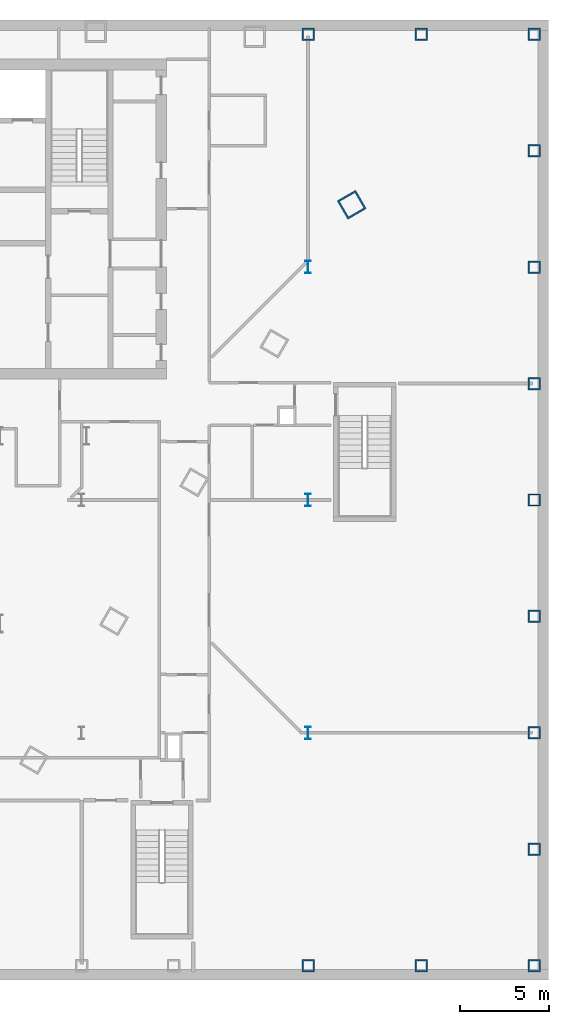
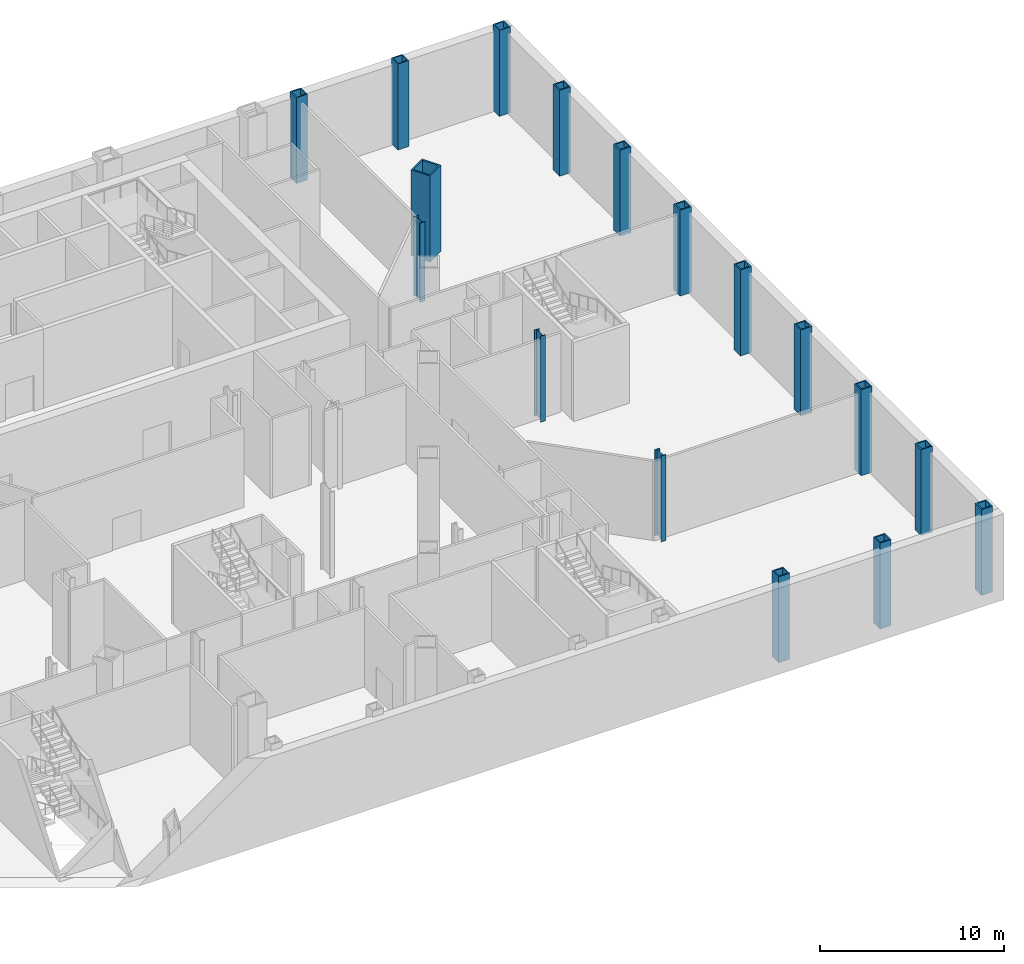
# One storey, part 3 of 18: 17 columns.
"""IFC4 building model written with IfcOpenShell, lengths in metres."""

import ifcopenshell
import ifcopenshell.guid

model = None  # the IFC model being written
_history = None  # IfcOwnerHistory: only IFC2X3 demands one
_inside = {}  # id of a spatial element -> (the spatial element, [elements in it])
_under = {}  # id of a project, library or spatial element -> (it, [spatial elements below it])
_declared = {}  # id of a project -> (the project, [libraries it declares])
_typed = {}  # id of a type object -> (the type object, [elements of that type])
_made_of = {}  # id of a material, layer set ... -> (it, [elements and type objects made of it])


def new_model(schema):
    """Start an empty IFC model of exactly this schema.

    Asked for "IFC4X3", IfcOpenShell would pick the latest addendum, in which some entities
    have other attributes; the version numbers below select the first issue.
    IFC2X3 requires an IfcOwnerHistory on every rooted entity: one is made here for all.
    """
    global model, _history
    if schema == "IFC4X3":
        model = ifcopenshell.file(schema_version=(4, 3, 0, 0))
    else:
        model = ifcopenshell.file(schema=schema)
    _inside.clear()
    _under.clear()
    _declared.clear()
    _typed.clear()
    _made_of.clear()
    _history = None
    if model.schema == "IFC2X3":
        org = make("IfcOrganization", Name="unknown")
        user = make(
            "IfcPersonAndOrganization",
            ThePerson=make("IfcPerson", FamilyName="unknown"),
            TheOrganization=org,
        )
        app = make(
            "IfcApplication",
            ApplicationDeveloper=org,
            Version="unknown",
            ApplicationFullName="unknown",
            ApplicationIdentifier="unknown",
        )
        _history = make(
            "IfcOwnerHistory",
            OwningUser=user,
            OwningApplication=app,
            ChangeAction="ADDED",
            CreationDate=0,
        )
    return model


def make(cls, **values):
    """One entity of the class cls with the attributes given. An attribute that is None is left unset."""
    return model.create_entity(
        cls, **{name: value for name, value in values.items() if value is not None}
    )


def rooted(cls, **values):
    """An entity with a GlobalId (a new one), such as an element, a storey or a relation."""
    return make(cls, GlobalId=ifcopenshell.guid.new(), OwnerHistory=_history, **values)


def si_unit(unit_type, name, prefix=None):
    """IfcSIUnit, for example si_unit("LENGTHUNIT", "METRE", prefix="MILLI")."""
    return make("IfcSIUnit", UnitType=unit_type, Prefix=prefix, Name=name)


def assignment(units):
    """IfcUnitAssignment: the units of a project."""
    return None if units is None else make("IfcUnitAssignment", Units=units)


def point(xyz):
    """IfcCartesianPoint."""
    return None if xyz is None else make("IfcCartesianPoint", Coordinates=xyz)


def direction(xyz):
    """IfcDirection."""
    return None if xyz is None else make("IfcDirection", DirectionRatios=xyz)


def frame(location, z_axis=None, x_axis=None):
    """IfcAxis2Placement3D, a coordinate frame: its origin and axes. An axis left out is left unset."""
    return make(
        "IfcAxis2Placement3D",
        Location=point(location),
        Axis=direction(z_axis),
        RefDirection=direction(x_axis),
    )


def frame_2d(location, x_axis=None):
    """IfcAxis2Placement2D, a coordinate frame in the plane: its origin and x axis."""
    return make(
        "IfcAxis2Placement2D", Location=point(location), RefDirection=direction(x_axis)
    )


def origin():
    """The frame at (0, 0, 0) with its axes left unset."""
    return frame((0.0, 0.0, 0.0))


def origin_2d():
    """The frame at (0, 0) in the plane with its x axis left unset."""
    return frame_2d((0.0, 0.0))


def place(relative_to, where):
    """IfcLocalPlacement: puts the frame where relative to a parent placement (None: the world)."""
    return make(
        "IfcLocalPlacement", PlacementRelTo=relative_to, RelativePlacement=where
    )


def context(
    kind, dimensions, precision=None, world=None, true_north=None, identifier=None
):
    """IfcGeometricRepresentationContext, for example the 3D "Model" context."""
    return make(
        "IfcGeometricRepresentationContext",
        ContextIdentifier=identifier,
        ContextType=kind,
        CoordinateSpaceDimension=dimensions,
        Precision=precision,
        WorldCoordinateSystem=world,
        TrueNorth=true_north,
    )


def subcontext(parent, identifier, kind, view, scale=None):
    """IfcGeometricRepresentationSubContext, for example "Body" below "Model"."""
    return make(
        "IfcGeometricRepresentationSubContext",
        ContextIdentifier=identifier,
        ContextType=kind,
        ParentContext=parent,
        TargetScale=scale,
        TargetView=view,
    )


def project(units=None, contexts=None):
    """IfcProject with its units and contexts."""
    return rooted(
        "IfcProject",
        Name="project",
        RepresentationContexts=contexts,
        UnitsInContext=assignment(units),
    )


def spatial(cls, under=None, at=None, **own):
    """A site, building, storey or space (cls), placed at a placement, below another one or the project."""
    s = rooted(cls, ObjectPlacement=at, **own)
    if under is not None:
        _under.setdefault(under.id(), (under, []))[1].append(s)
    return s


def profile(cls, at=None, kind="AREA", **sizes):
    """A parametric profile (cls). Its sizes go by their IFC names, for example OverallWidth=200.0."""
    return make(cls, ProfileType=kind, Position=at, **sizes)


def hollow_rectangle(**sizes):
    """IfcRectangleHollowProfileDef."""
    return profile("IfcRectangleHollowProfileDef", **sizes)


def i_section(**sizes):
    """IfcIShapeProfileDef."""
    return profile("IfcIShapeProfileDef", **sizes)


def extrude(swept, where, along, depth):
    """IfcExtrudedAreaSolid: the profile swept, set in the frame where, extruded along a direction by depth."""
    return make(
        "IfcExtrudedAreaSolid",
        SweptArea=swept,
        Position=where,
        ExtrudedDirection=direction(along),
        Depth=depth,
    )


def shape(context_of_items, identifier, shape_type, items):
    """IfcShapeRepresentation: the items that make up one representation, for example the "Body"."""
    return make(
        "IfcShapeRepresentation",
        ContextOfItems=context_of_items,
        RepresentationIdentifier=identifier,
        RepresentationType=shape_type,
        Items=items,
    )


def material(Name=None, Category=None):
    """IfcMaterial."""
    return make("IfcMaterial", Name=Name, Category=Category)


def material_profile(
    of_material, cross_section, Name=None, Category=None, Priority=None
):
    """IfcMaterialProfile: a cross section and its material."""
    return make(
        "IfcMaterialProfile",
        Name=Name,
        Material=of_material,
        Profile=cross_section,
        Priority=Priority,
        Category=Category,
    )


def profile_set(profiles, Name=None, composite=None):
    """IfcMaterialProfileSet."""
    return make(
        "IfcMaterialProfileSet",
        Name=Name,
        MaterialProfiles=profiles,
        CompositeProfile=composite,
    )


def made_of(thing, what):
    """Note that an element or type object is made of a material, layer set ...; save() writes the relation."""
    if what is not None:
        _made_of.setdefault(what.id(), (what, []))[1].append(thing)
    return thing


def type_object(cls, material=None, **own):
    """A type object (cls), such as IfcWallType, which elements share."""
    return made_of(rooted(cls, **own), material)


def element(
    cls,
    number,
    at=None,
    inside=None,
    cuts=None,
    type_object=None,
    material=None,
    context=None,
    identifier="Body",
    shape_type=None,
    held_by="IfcProductDefinitionShape",
    body=None,
    shapes=None,
    **own,
):
    """One element of the class cls, such as IfcWall. Its Tag is "e" and its number.

    at: its placement. inside: the storey or other place that contains it. cuts: it is an
    opening in that element (IfcRelVoidsElement). A single representation is given by context,
    identifier, shape_type and body (its items); several are given by shapes. held_by: the class
    of the entity that holds the representations. save() writes the other relations.
    """
    e = rooted(cls, Tag="e%d" % number, ObjectPlacement=at, **own)
    if body is not None:
        shapes = [shape(context, identifier, shape_type, body)]
    if shapes is not None:
        e.Representation = make(held_by, Representations=shapes)
    if inside is not None:
        _inside.setdefault(inside.id(), (inside, []))[1].append(e)
    if cuts is not None:
        rooted(
            "IfcRelVoidsElement", RelatingBuildingElement=cuts, RelatedOpeningElement=e
        )
    if type_object is not None:
        _typed.setdefault(type_object.id(), (type_object, []))[1].append(e)
    return made_of(e, material)


def aggregate(whole, parts):
    """IfcRelAggregates: a whole, such as a stair, and the parts it consists of."""
    return rooted("IfcRelAggregates", RelatingObject=whole, RelatedObjects=parts)


def save(model, path):
    """Write the relations noted so far, then the file.

    IfcRelAggregates (storeys below a building ...), IfcRelContainedInSpatialStructure (elements
    in a storey), IfcRelDefinesByType, IfcRelAssociatesMaterial and IfcRelDeclares: one each for
    every whole, place, type object, material and project.
    """
    for whole, parts in _under.values():
        aggregate(whole, parts)
    for where, things in _inside.values():
        rooted(
            "IfcRelContainedInSpatialStructure",
            RelatedElements=things,
            RelatingStructure=where,
        )
    for kind, things in _typed.values():
        rooted("IfcRelDefinesByType", RelatedObjects=things, RelatingType=kind)
    for what, things in _made_of.values():
        rooted("IfcRelAssociatesMaterial", RelatedObjects=things, RelatingMaterial=what)
    for by, libraries in _declared.values():
        rooted("IfcRelDeclares", RelatingContext=by, RelatedDefinitions=libraries)
    model.write(path)


model = new_model("IFC4")

# Units and contexts
model_context = context("Model", 3, precision=1e-05, world=origin(), true_north=direction((0.0, 1.0)))
body_context = subcontext(model_context, "Body", "Model", "MODEL_VIEW")
ifc_project = project(units=[si_unit("LENGTHUNIT", "METRE"), si_unit("AREAUNIT", "SQUARE_METRE"), si_unit("VOLUMEUNIT", "CUBIC_METRE"), si_unit("PLANEANGLEUNIT", "RADIAN"), si_unit("MASSUNIT", "GRAM", prefix="KILO")], contexts=[model_context])

# Site, building, storey
site_placement = place(None, origin())
site = spatial("IfcSite", under=ifc_project, at=site_placement, CompositionType="ELEMENT")
building_placement = place(site_placement, origin())
building = spatial("IfcBuilding", under=site, at=building_placement, Name="Njiva Tower", CompositionType="ELEMENT")
storey_placement = place(building_placement, frame((0.0, 0.0, -5.7)))
storey = spatial("IfcBuildingStorey", under=building, at=storey_placement, Name="B1", CompositionType="ELEMENT", Elevation=-5.7)

# Columns
ifc_material = material(Name="Steel S355 J2", Category="steel")
ifc_material_profile_1 = material_profile(ifc_material, hollow_rectangle(XDim=1.2, YDim=1.2, WallThickness=0.1, at=origin_2d()), Name="BOX 1200x1200x100")
ifc_profile_set_1 = profile_set([ifc_material_profile_1], Name="Steel S355 J2")
column_type_1 = type_object("IfcColumnType", Name="C1 Mega-column BOX 1200x1200x100", PredefinedType="COLUMN", material=ifc_profile_set_1)
column_1_placement = place(storey_placement, frame((27.923, 9.808, 0.0), z_axis=(0.0, 0.0, 1.0), x_axis=(-0.5, 0.866025403784, 0.0)))
element("IfcColumn", 1, at=column_1_placement, inside=storey, type_object=column_type_1, Name="Mega-column B1-C18", PredefinedType="COLUMN", context=body_context, shape_type="SweptSolid", body=[
    extrude(hollow_rectangle(XDim=1.2, YDim=1.2, WallThickness=0.1, at=origin_2d()), origin(), (0.0, 0.0, 1.0), 5.7),
])
ifc_material_profile_2 = material_profile(ifc_material, hollow_rectangle(XDim=0.7, YDim=0.7, WallThickness=0.08, at=origin_2d()), Name="BOX 700x700x80")
ifc_profile_set_2 = profile_set([ifc_material_profile_2], Name="Steel S355 J2")
column_type_2 = type_object("IfcColumnType", Name="C3 Podium perimeter column BOX 700x700x80", PredefinedType="COLUMN", material=ifc_profile_set_2)
for number, where, z_axis, x_axis, name in (
    (2, (38.2, -33.0, 0.0), (0.0, 0.0, 1.0), (0.0, 1.0, 0.0), "Podium perimeter column B1-C27"),
    (3, (38.2, -26.45, 0.0), (0.0, 0.0, 1.0), (0.0, 1.0, 0.0), "Podium perimeter column B1-C28"),
    (4, (38.2, -19.9, 0.0), (0.0, 0.0, 1.0), (0.0, 1.0, 0.0), "Podium perimeter column B1-C29"),
    (5, (38.2, -13.35, 0.0), (0.0, 0.0, 1.0), (0.0, 1.0, 0.0), "Podium perimeter column B1-C30"),
    (6, (38.2, -6.8, 0.0), (0.0, 0.0, 1.0), (0.0, 1.0, 0.0), "Podium perimeter column B1-C31"),
    (7, (38.2, -0.25, 0.0), (0.0, 0.0, 1.0), (0.0, 1.0, 0.0), "Podium perimeter column B1-C32"),
    (8, (38.2, 6.3, 0.0), (0.0, 0.0, 1.0), (0.0, 1.0, 0.0), "Podium perimeter column B1-C33"),
    (9, (38.2, 12.85, 0.0), (0.0, 0.0, 1.0), (0.0, 1.0, 0.0), "Podium perimeter column B1-C34"),
    (10, (38.2, 19.4, 0.0), (0.0, 0.0, 1.0), (-1.0, 0.0, 0.0), "Podium perimeter column B1-C35"),
    (11, (31.833, 19.4, 0.0), (0.0, 0.0, 1.0), (-1.0, 0.0, 0.0), "Podium perimeter column B1-C36"),
    (12, (25.467, 19.4, 0.0), (0.0, 0.0, 1.0), (-1.0, 0.0, 0.0), "Podium perimeter column B1-C37"),
    (13, (25.467, -33.0, 0.0), (0.0, 0.0, 1.0), (1.0, 0.0, 0.0), "Podium perimeter column B1-C60"),
    (14, (31.833, -33.0, 0.0), (0.0, 0.0, 1.0), (1.0, 0.0, 0.0), "Podium perimeter column B1-C61"),
):
    element("IfcColumn", number, at=place(storey_placement, frame(where, z_axis=z_axis, x_axis=x_axis)), inside=storey, type_object=column_type_2, Name=name, PredefinedType="COLUMN", context=body_context, shape_type="SweptSolid", body=[
        extrude(hollow_rectangle(XDim=0.7, YDim=0.7, WallThickness=0.08, at=origin_2d()), origin(), (0.0, 0.0, 1.0), 5.7),
    ])
ifc_material_profile_3 = material_profile(ifc_material, i_section(OverallWidth=0.304, OverallDepth=0.716, WebThickness=0.021, FlangeThickness=0.04, at=origin_2d()), Name="HEM 700")
ifc_profile_set_3 = profile_set([ifc_material_profile_3], Name="Steel S355 J2")
column_type_3 = type_object("IfcColumnType", Name="C4 Station column HEM 700", PredefinedType="COLUMN", material=ifc_profile_set_3)
column_2_placement = place(storey_placement, frame((25.467, 6.3, 0.0), z_axis=(0.0, 0.0, 1.0), x_axis=(1.0, 0.0, 0.0)))
element("IfcColumn", 15, at=column_2_placement, inside=storey, type_object=column_type_3, Name="Station column B1-C69", PredefinedType="COLUMN", context=body_context, shape_type="SweptSolid", body=[
    extrude(i_section(OverallWidth=0.304, OverallDepth=0.716, WebThickness=0.021, FlangeThickness=0.04, at=origin_2d()), origin(), (0.0, 0.0, 1.0), 5.25),
])
for number, where, z_axis, x_axis, name in (
    (16, (25.467, -6.8, 0.0), (0.0, 0.0, 1.0), (1.0, 0.0, 0.0), "Station column B1-C70"),
    (17, (25.467, -19.9, 0.0), (0.0, 0.0, 1.0), (1.0, 0.0, 0.0), "Station column B1-C71"),
):
    element("IfcColumn", number, at=place(storey_placement, frame(where, z_axis=z_axis, x_axis=x_axis)), inside=storey, type_object=column_type_3, Name=name, PredefinedType="COLUMN", context=body_context, shape_type="SweptSolid", body=[
        extrude(i_section(OverallWidth=0.304, OverallDepth=0.716, WebThickness=0.021, FlangeThickness=0.04, at=origin_2d()), origin(), (0.0, 0.0, 1.0), 5.7),
    ])

save(model, "model.ifc")
